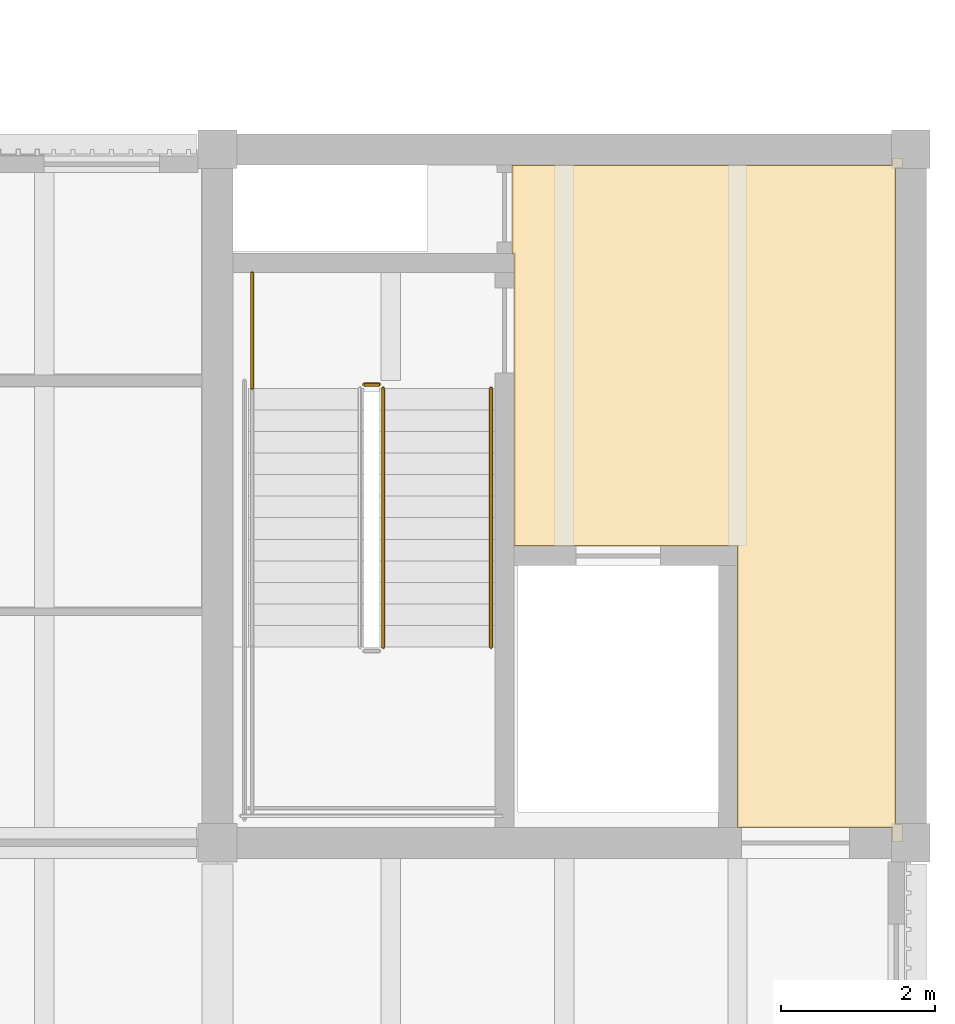
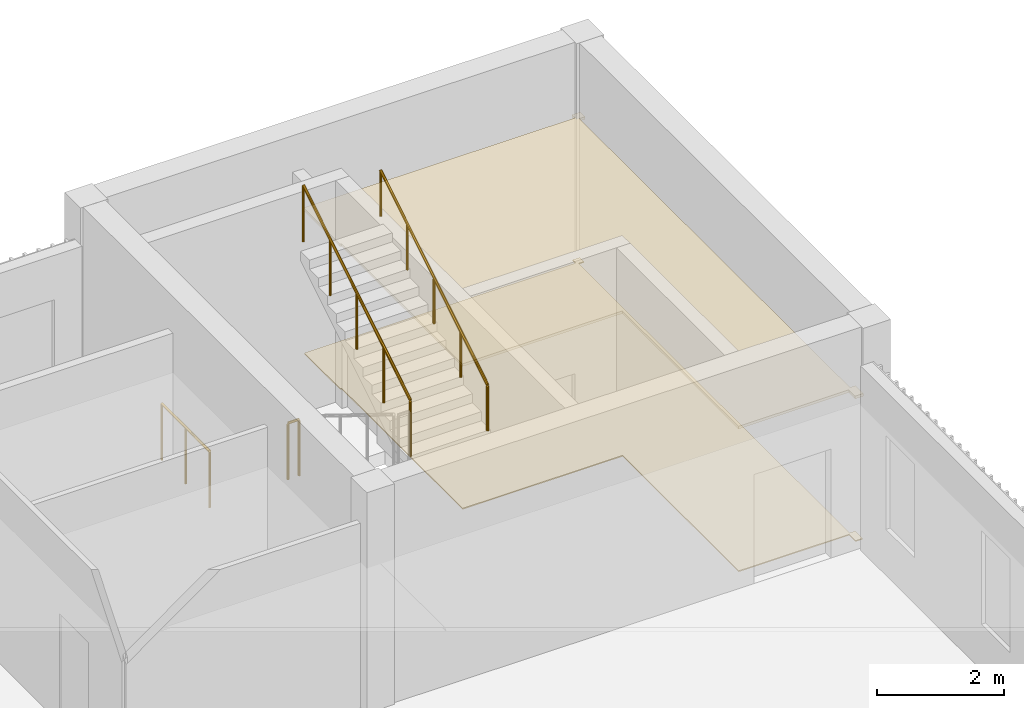
# One storey, part 92 of 92: 4 railings, 2 coverings.
"""IFC4 building model written with IfcOpenShell, lengths in metres."""

from ifc_helpers import new_model, si_unit, direction, frame, origin, origin_2d, place, context, subcontext, project, spatial, polyline, circle, outline, extrude, material, layer, layer_set, type_object, element, save


model = new_model("IFC4")

# Units and contexts
model_context = context("Model", 3, precision=1e-05, world=origin(), true_north=direction((0.0, 1.0)))
body_context = subcontext(model_context, "Body", "Model", "MODEL_VIEW")
ifc_project = project(units=[si_unit("LENGTHUNIT", "METRE"), si_unit("AREAUNIT", "SQUARE_METRE"), si_unit("VOLUMEUNIT", "CUBIC_METRE"), si_unit("PLANEANGLEUNIT", "RADIAN"), si_unit("MASSUNIT", "GRAM", prefix="KILO")], contexts=[model_context])

# Site, building, storey
site_placement = place(None, origin())
site = spatial("IfcSite", under=ifc_project, at=site_placement, CompositionType="ELEMENT")
building_placement = place(site_placement, origin())
building = spatial("IfcBuilding", under=site, at=building_placement, Name="Merrow Basin Faculty of Sciences", CompositionType="ELEMENT")
storey_placement = place(building_placement, frame((0.0, 0.0, 4.5)))
storey = spatial("IfcBuildingStorey", under=building, at=storey_placement, Name="L01", CompositionType="ELEMENT", Elevation=4.5)

# Covering
ifc_material_1 = material(Name="Polished terrazzo floor")
ifc_layer_1 = layer(ifc_material_1, 0.02001953125)
ifc_layer_set_1 = layer_set([ifc_layer_1], Name="Polished terrazzo floor")
covering_type_1 = type_object("IfcCoveringType", Name="Polished terrazzo floor", PredefinedType="FLOORING", material=ifc_layer_set_1)
covering_1_placement = place(storey_placement, origin())
element("IfcCovering", 1, at=covering_1_placement, inside=storey, type_object=covering_type_1, Name="Floor finish L01-C-011", PredefinedType="FLOORING", context=body_context, shape_type="SweptSolid", body=[
    extrude(outline(polyline([(71.889892578125, 132.889892578125), (71.889892578125, 132.760009765625), (71.7900390625, 132.760009765625), (71.7900390625, 124.239990234375), (71.889892578125, 124.239990234375), (71.889892578125, 124.010009765625), (71.760009765625, 124.010009765625), (71.760009765625, 124.2099609375), (69.760009765625, 124.2099609375), (69.760009765625, 127.860107421875), (66.860107421875, 127.860107421875), (66.860107421875, 131.659912109375), (66.8349609375, 131.659912109375), (66.8349609375, 132.7900390625), (71.760009765625, 132.7900390625), (71.760009765625, 132.889892578125), (71.889892578125, 132.889892578125)])), origin(), (0.0, 0.0, 1.0), 0.02001953125),
])

# Railings
ifc_material_2 = material(Name="Steel ASTM A36", Category="steel")
railing_type_1 = type_object("IfcRailingType", Name="Steel guard 1100", PredefinedType="GUARDRAIL", material=ifc_material_2)
railing_1_placement = place(storey_placement, frame((65.14990234375, 126.5400390625, 2.423095703125)))
element("IfcRailing", 2, at=railing_1_placement, inside=storey, type_object=railing_type_1, Name="L01 ST-V2-N stair guard 5", PredefinedType="GUARDRAIL", context=body_context, shape_type="SweptSolid", body=[
    extrude(circle(Radius=0.02392578125, at=origin_2d()), frame((0.0, 0.0, 1.076171875), z_axis=(0.0, 0.850606129759, 0.525803396734), x_axis=(-1.0, 0.0, 0.0)), (0.0, 0.0, 1.0), 3.949951171875),
    extrude(circle(Radius=0.02099609375, at=origin_2d()), origin(), (0.0, 0.0, 1.0), 1.052001953125),
    extrude(circle(Radius=0.02099609375, at=origin_2d()), frame((0.0, 0.83984375, 0.519287109375)), (0.0, 0.0, 1.0), 1.052001953125),
    extrude(circle(Radius=0.02099609375, at=origin_2d()), frame((0.0, 1.679931640625, 1.03857421875)), (0.0, 0.0, 1.0), 1.052001953125),
    extrude(circle(Radius=0.02099609375, at=origin_2d()), frame((0.0, 2.52001953125, 1.5576171875)), (0.0, 0.0, 1.0), 1.052001953125),
    extrude(circle(Radius=0.02099609375, at=origin_2d()), frame((0.0, 3.35986328125, 2.076904296875)), (0.0, 0.0, 1.0), 1.052001953125),
])
railing_2_placement = place(storey_placement, frame((64.89990234375, 129.949951171875, 0.0)))
element("IfcRailing", 3, at=railing_2_placement, inside=storey, type_object=railing_type_1, Name="L01 ST-V2-N stair guard 6", PredefinedType="GUARDRAIL", context=body_context, shape_type="SweptSolid", body=[
    extrude(circle(Radius=0.02392578125, at=origin_2d()), frame((0.0, 0.0, 1.076171875), z_axis=(1.0, 0.0, 0.0), x_axis=(0.0, 1.0, 0.0)), (0.0, 0.0, 1.0), 0.2001953125),
    extrude(circle(Radius=0.02099609375, at=origin_2d()), origin(), (0.0, 0.0, 1.0), 1.052001953125),
    extrude(circle(Radius=0.02099609375, at=origin_2d()), frame((0.2001953125, 0.0, 0.0)), (0.0, 0.0, 1.0), 1.052001953125),
])
railing_3_placement = place(storey_placement, frame((63.449951171875, 131.39990234375, 0.0)))
element("IfcRailing", 4, at=railing_3_placement, inside=storey, type_object=railing_type_1, Name="L01 ST-V2-N stair guard 7", PredefinedType="GUARDRAIL", context=body_context, shape_type="SweptSolid", body=[
    extrude(circle(Radius=0.02392578125, at=origin_2d()), frame((0.0, 0.0, 1.076171875), z_axis=(0.0, -1.0, 0.0), x_axis=(1.0, 0.0, 0.0)), (0.0, 0.0, 1.0), 1.5),
    extrude(circle(Radius=0.02099609375, at=origin_2d()), origin(), (0.0, 0.0, 1.0), 1.052001953125),
    extrude(circle(Radius=0.02099609375, at=origin_2d()), frame((0.0, -0.75, 0.0)), (0.0, 0.0, 1.0), 1.052001953125),
    extrude(circle(Radius=0.02099609375, at=origin_2d()), frame((0.0, -1.5, 0.0)), (0.0, 0.0, 1.0), 1.052001953125),
])
ifc_material_3 = material(Name="Steel ASTM A36", Category="steel")
railing_type_2 = type_object("IfcRailingType", Name="Steel handrail 900", PredefinedType="HANDRAIL", material=ifc_material_3)
railing_4_placement = place(storey_placement, frame((66.550048828125, 126.5400390625, 2.423095703125)))
element("IfcRailing", 5, at=railing_4_placement, inside=storey, type_object=railing_type_2, Name="L01 ST-V2-N stair handrail 2", PredefinedType="HANDRAIL", context=body_context, shape_type="SweptSolid", body=[
    extrude(circle(Radius=0.02392578125, at=origin_2d()), frame((0.0, 0.0, 0.8759765625), z_axis=(0.0, 0.850606129759, 0.525803396734), x_axis=(-1.0, 0.0, 0.0)), (0.0, 0.0, 1.0), 3.949951171875),
    extrude(circle(Radius=0.02099609375, at=origin_2d()), origin(), (0.0, 0.0, 1.0), 0.851806640625),
    extrude(circle(Radius=0.02099609375, at=origin_2d()), frame((0.0, 0.83984375, 0.519287109375)), (0.0, 0.0, 1.0), 0.851806640625),
    extrude(circle(Radius=0.02099609375, at=origin_2d()), frame((0.0, 1.679931640625, 1.03857421875)), (0.0, 0.0, 1.0), 0.851806640625),
    extrude(circle(Radius=0.02099609375, at=origin_2d()), frame((0.0, 2.52001953125, 1.5576171875)), (0.0, 0.0, 1.0), 0.851806640625),
    extrude(circle(Radius=0.02099609375, at=origin_2d()), frame((0.0, 3.35986328125, 2.076904296875)), (0.0, 0.0, 1.0), 0.851806640625),
])

# Covering
ifc_material_4 = material(Name="Mineral fibre ceiling tile")
ifc_layer_2 = layer(ifc_material_4, 0.050048828125)
ifc_layer_set_2 = layer_set([ifc_layer_2], Name="Suspended acoustic ceiling tile")
covering_type_2 = type_object("IfcCoveringType", Name="Suspended acoustic ceiling tile", PredefinedType="CEILING", material=ifc_layer_set_2)
covering_2_placement = place(storey_placement, frame((0.0, 0.0, 2.75)))
element("IfcCovering", 6, at=covering_2_placement, inside=storey, type_object=covering_type_2, Name="Ceiling L01-C-011", PredefinedType="CEILING", context=body_context, shape_type="SweptSolid", body=[
    extrude(outline(polyline([(71.89990234375, 132.89990234375), (71.89990234375, 132.75), (71.800048828125, 132.75), (71.800048828125, 124.25), (71.89990234375, 124.25), (71.89990234375, 124.0), (71.75, 124.0), (71.75, 124.199951171875), (69.75, 124.199951171875), (69.75, 127.85009765625), (66.85009765625, 127.85009765625), (66.85009765625, 131.64990234375), (66.824951171875, 131.64990234375), (66.824951171875, 132.800048828125), (71.75, 132.800048828125), (71.75, 132.89990234375), (71.89990234375, 132.89990234375)])), origin(), (0.0, 0.0, 1.0), 0.050048828125),
])

save(model, "model.ifc")
